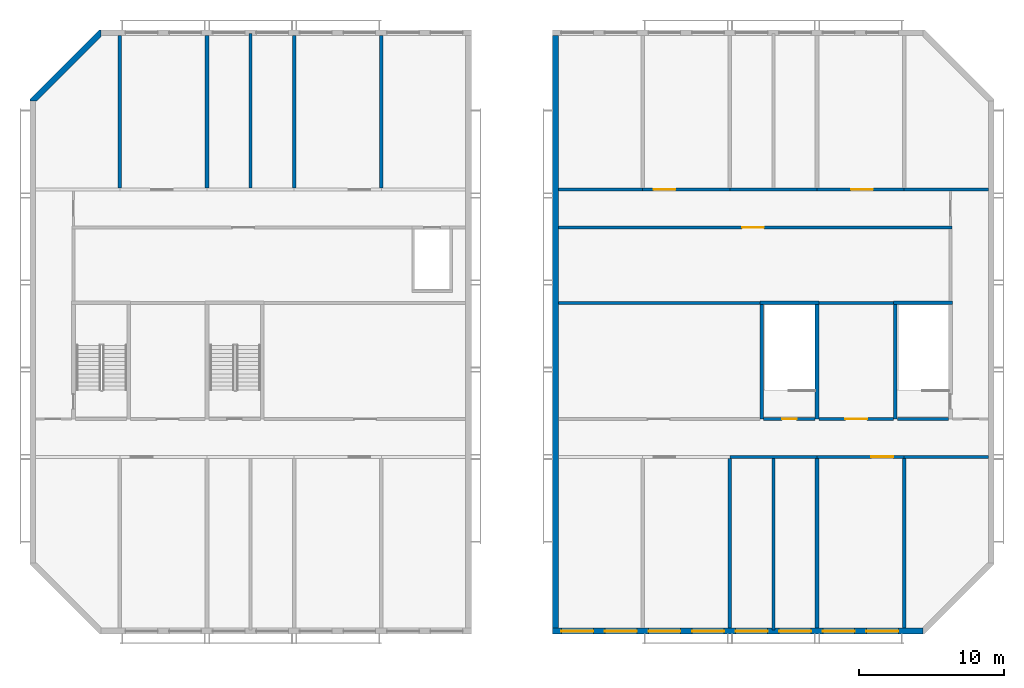
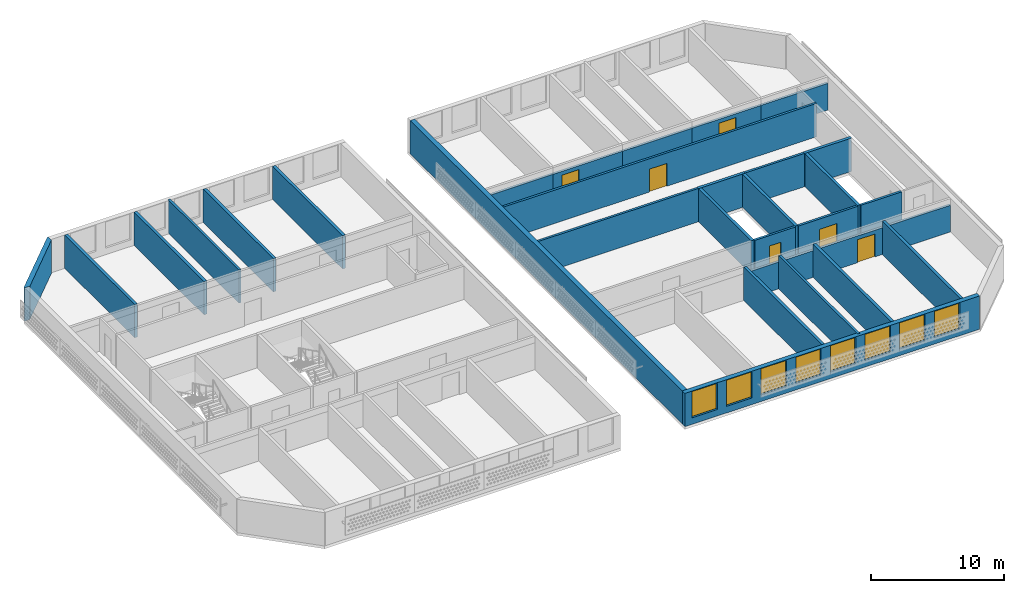
# One storey, part 3 of 16: 31 walls, 8 windows, 6 doors, 14 openings.
"""IFC4 building model written with IfcOpenShell, lengths in metres."""

from ifc_helpers import new_model, si_unit, direction, frame, frame_2d, origin, place, context, subcontext, project, spatial, polyline, rectangle, outline, extrude, material, layer, layer_set, type_object, element, fill, save


model = new_model("IFC4")

# Units and contexts
model_context = context("Model", 3, precision=1e-05, world=origin(), true_north=direction((0.0, 1.0)))
body_context = subcontext(model_context, "Body", "Model", "MODEL_VIEW")
ifc_project = project(units=[si_unit("LENGTHUNIT", "METRE"), si_unit("AREAUNIT", "SQUARE_METRE"), si_unit("VOLUMEUNIT", "CUBIC_METRE"), si_unit("PLANEANGLEUNIT", "RADIAN"), si_unit("MASSUNIT", "GRAM", prefix="KILO")], contexts=[model_context])

# Site, building, storey
site_placement = place(None, origin())
site = spatial("IfcSite", under=ifc_project, at=site_placement, CompositionType="ELEMENT")
building_placement = place(site_placement, origin())
building = spatial("IfcBuilding", under=site, at=building_placement, Name="Poui Terraces", CompositionType="ELEMENT")
storey_placement = place(building_placement, frame((0.0, 0.0, 282.300048828125)))
storey = spatial("IfcBuildingStorey", under=building, at=storey_placement, Name="L78 CROWN", CompositionType="ELEMENT", Elevation=282.300048828125)

# Wall
ifc_material_1 = material(Name="Concrete 50 MPa", Category="concrete")
ifc_layer_1 = layer(ifc_material_1, 0.199951171875)
ifc_layer_set_1 = layer_set([ifc_layer_1], Name="Concrete 50 MPa")
wall_type_1 = type_object("IfcWallType", Name="CORRIDOR WALL 200 50MPa", PredefinedType="SHEAR", material=ifc_layer_set_1)
wall_1_placement = place(storey_placement, frame((66.0, 12.0, 0.0), z_axis=(0.0, 0.0, 1.0), x_axis=(1.0, 0.0, 0.0)))
element("IfcWall", 1, at=wall_1_placement, inside=storey, type_object=wall_type_1, Name="CORRIDOR WALL LINE B BAY E3", PredefinedType="SHEAR", context=body_context, shape_type="SweptSolid", body=[
    extrude(rectangle(XDim=6.0, YDim=0.199951171875, at=frame_2d((3.0, 0.0))), origin(), (0.0, 0.0, 1.0), 2.449951171875),
])

# Wall, opening, door
wall_2_placement = place(storey_placement, frame((72.0, 12.0, 0.0), z_axis=(0.0, 0.0, 1.0), x_axis=(1.0, 0.0, 0.0)))
wall_2 = element("IfcWall", 2, at=wall_2_placement, inside=storey, type_object=wall_type_1, Name="CORRIDOR WALL LINE B BAY E4", PredefinedType="SHEAR", context=body_context, shape_type="SweptSolid", body=[
    extrude(rectangle(XDim=6.0, YDim=0.199951171875, at=frame_2d((3.0, 0.0))), origin(), (0.0, 0.0, 1.0), 2.449951171875),
])
opening_1_placement = place(wall_2_placement, frame((3.75, 0.0, 0.0)))
opening_1 = element("IfcOpeningElement", 3, at=opening_1_placement, cuts=wall_2, Name="Opening FDP", PredefinedType="OPENING", context=body_context, shape_type="SweptSolid", body=[
    extrude(rectangle(XDim=1.5, YDim=2.10009765625, at=frame_2d((0.75, 1.050048828125))), frame((0.0, 0.10986328125, 0.0), z_axis=(0.0, -1.0, 0.0), x_axis=(1.0, 0.0, 0.0)), (0.0, 0.0, 1.0), 0.219970703125),
])
ifc_material_2 = material(Name="Steel fire door", Category="steel")
door_type_1 = type_object("IfcDoorType", Name="PLANT ROOM DOOR PAIR 1500 X 2100", OperationType="DOUBLE_DOOR_SINGLE_SWING", PredefinedType="DOOR", material=ifc_material_2)
door_1_placement = place(opening_1_placement, origin())
door_1 = element("IfcDoor", 4, at=door_1_placement, inside=storey, type_object=door_type_1, Name="PLANT ROOM DOOR PAIR 007", OperationType="DOUBLE_DOOR_SINGLE_SWING", OverallHeight=2.10009765625, OverallWidth=1.5, PredefinedType="DOOR", context=body_context, shape_type="SweptSolid", body=[
    extrude(rectangle(XDim=1.5, YDim=2.10009765625, at=frame_2d((0.75, 1.050048828125))), frame((0.0, 0.02490234375, 0.0), z_axis=(0.0, -1.0, 0.0), x_axis=(1.0, 0.0, 0.0)), (0.0, 0.0, 1.0), 0.050048828125),
])
fill(opening_1, door_1)

# Walls
for number, where, z_axis, x_axis, name in (
    (5, (78.0, 12.0, 0.0), (0.0, 0.0, 1.0), (1.0, 0.0, 0.0), "CORRIDOR WALL LINE B BAY E5"),
    (6, (54.199951171875, 30.39990234375, 0.0), (0.0, 0.0, 1.0), (1.0, 0.0, 0.0), "CORRIDOR WALL LINE E BAY E1"),
):
    element("IfcWall", number, at=place(storey_placement, frame(where, z_axis=z_axis, x_axis=x_axis)), inside=storey, type_object=wall_type_1, Name=name, PredefinedType="SHEAR", context=body_context, shape_type="SweptSolid", body=[
        extrude(rectangle(XDim=5.800048828125, YDim=0.199951171875, at=frame_2d((2.89990234375, 0.0))), origin(), (0.0, 0.0, 1.0), 2.449951171875),
    ])

# Wall, opening, door
wall_3_placement = place(storey_placement, frame((60.0, 30.39990234375, 0.0), z_axis=(0.0, 0.0, 1.0), x_axis=(1.0, 0.0, 0.0)))
wall_3 = element("IfcWall", 7, at=wall_3_placement, inside=storey, type_object=wall_type_1, Name="CORRIDOR WALL LINE E BAY E2", PredefinedType="SHEAR", context=body_context, shape_type="SweptSolid", body=[
    extrude(rectangle(XDim=6.0, YDim=0.199951171875, at=frame_2d((3.0, 0.0))), origin(), (0.0, 0.0, 1.0), 2.449951171875),
])
opening_2_placement = place(wall_3_placement, frame((0.75, 0.0, 0.0)))
opening_2 = element("IfcOpeningElement", 8, at=opening_2_placement, cuts=wall_3, Name="Opening FDP", PredefinedType="OPENING", context=body_context, shape_type="SweptSolid", body=[
    extrude(rectangle(XDim=1.5, YDim=2.10009765625, at=frame_2d((0.75, 1.050048828125))), frame((0.0, 0.10986328125, 0.0), z_axis=(0.0, -1.0, 0.0), x_axis=(1.0, 0.0, 0.0)), (0.0, 0.0, 1.0), 0.219970703125),
])
door_2_placement = place(opening_2_placement, frame((1.5, 0.0, 0.0), z_axis=(0.0, 0.0, 1.0), x_axis=(-1.0, 0.0, 0.0)))
door_2 = element("IfcDoor", 9, at=door_2_placement, inside=storey, type_object=door_type_1, Name="PLANT ROOM DOOR PAIR 001", OperationType="DOUBLE_DOOR_SINGLE_SWING", OverallHeight=2.10009765625, OverallWidth=1.5, PredefinedType="DOOR", context=body_context, shape_type="SweptSolid", body=[
    extrude(rectangle(XDim=1.5, YDim=2.10009765625, at=frame_2d((0.75, 1.050048828125))), frame((0.0, 0.02490234375, 0.0), z_axis=(0.0, -1.0, 0.0), x_axis=(1.0, 0.0, 0.0)), (0.0, 0.0, 1.0), 0.050048828125),
])
fill(opening_2, door_2)

# Wall
wall_4_placement = place(storey_placement, frame((66.0, 30.39990234375, 0.0), z_axis=(0.0, 0.0, 1.0), x_axis=(1.0, 0.0, 0.0)))
element("IfcWall", 10, at=wall_4_placement, inside=storey, type_object=wall_type_1, Name="CORRIDOR WALL LINE E BAY E3", PredefinedType="SHEAR", context=body_context, shape_type="SweptSolid", body=[
    extrude(rectangle(XDim=6.0, YDim=0.199951171875, at=frame_2d((3.0, 0.0))), origin(), (0.0, 0.0, 1.0), 2.449951171875),
])

# Wall, opening, door
wall_5_placement = place(storey_placement, frame((72.0, 30.39990234375, 0.0), z_axis=(0.0, 0.0, 1.0), x_axis=(1.0, 0.0, 0.0)))
wall_5 = element("IfcWall", 11, at=wall_5_placement, inside=storey, type_object=wall_type_1, Name="CORRIDOR WALL LINE E BAY E4", PredefinedType="SHEAR", context=body_context, shape_type="SweptSolid", body=[
    extrude(rectangle(XDim=6.0, YDim=0.199951171875, at=frame_2d((3.0, 0.0))), origin(), (0.0, 0.0, 1.0), 2.449951171875),
])
opening_3_placement = place(wall_5_placement, frame((2.35009765625, 0.0, 0.0)))
opening_3 = element("IfcOpeningElement", 12, at=opening_3_placement, cuts=wall_5, Name="Opening FDP", PredefinedType="OPENING", context=body_context, shape_type="SweptSolid", body=[
    extrude(rectangle(XDim=1.5, YDim=2.10009765625, at=frame_2d((0.75, 1.050048828125))), frame((0.0, 0.10986328125, 0.0), z_axis=(0.0, -1.0, 0.0), x_axis=(1.0, 0.0, 0.0)), (0.0, 0.0, 1.0), 0.219970703125),
])
door_3_placement = place(opening_3_placement, frame((1.5, 0.0, 0.0), z_axis=(0.0, 0.0, 1.0), x_axis=(-1.0, 0.0, 0.0)))
door_3 = element("IfcDoor", 13, at=door_3_placement, inside=storey, type_object=door_type_1, Name="PLANT ROOM DOOR PAIR 003", OperationType="DOUBLE_DOOR_SINGLE_SWING", OverallHeight=2.10009765625, OverallWidth=1.5, PredefinedType="DOOR", context=body_context, shape_type="SweptSolid", body=[
    extrude(rectangle(XDim=1.5, YDim=2.10009765625, at=frame_2d((0.75, 1.050048828125))), frame((0.0, 0.02490234375, 0.0), z_axis=(0.0, -1.0, 0.0), x_axis=(1.0, 0.0, 0.0)), (0.0, 0.0, 1.0), 0.050048828125),
])
fill(opening_3, door_3)

# Walls
wall_6_placement = place(storey_placement, frame((78.0, 30.39990234375, 0.0), z_axis=(0.0, 0.0, 1.0), x_axis=(1.0, 0.0, 0.0)))
element("IfcWall", 14, at=wall_6_placement, inside=storey, type_object=wall_type_1, Name="CORRIDOR WALL LINE E BAY E5", PredefinedType="SHEAR", context=body_context, shape_type="SweptSolid", body=[
    extrude(rectangle(XDim=5.800048828125, YDim=0.199951171875, at=frame_2d((2.89990234375, 0.0))), origin(), (0.0, 0.0, 1.0), 2.449951171875),
])
ifc_layer_2 = layer(ifc_material_1, 0.25)
ifc_layer_set_2 = layer_set([ifc_layer_2], Name="Concrete 50 MPa")
wall_type_2 = type_object("IfcWallType", Name="CROSS WALL 250 50MPa", PredefinedType="SHEAR", material=ifc_layer_set_2)
for number, where, z_axis, x_axis, name in (
    (15, (24.0, 30.5, 0.0), (0.0, 0.0, 1.0), (0.0, 1.0, 0.0), "CROSS WALL LINE 5 NORTH"),
    (16, (30.0, 30.5, 0.0), (0.0, 0.0, 1.0), (0.0, 1.0, 0.0), "CROSS WALL LINE 6 NORTH"),
    (17, (36.0, 30.5, 0.0), (0.0, 0.0, 1.0), (0.0, 1.0, 0.0), "CROSS WALL LINE 7 NORTH"),
    (18, (42.0, 30.5, 0.0), (0.0, 0.0, 1.0), (0.0, 1.0, 0.0), "CROSS WALL LINE 8 NORTH"),
):
    element("IfcWall", number, at=place(storey_placement, frame(where, z_axis=z_axis, x_axis=x_axis)), inside=storey, type_object=wall_type_2, Name=name, PredefinedType="SHEAR", context=body_context, shape_type="SweptSolid", body=[
        extrude(rectangle(XDim=10.5, YDim=0.25, at=frame_2d((5.25, 0.0))), origin(), (0.0, 0.0, 1.0), 3.050048828125),
    ])
for number, where, z_axis, x_axis, name in (
    (19, (66.0, 0.199951171875, 0.0), (0.0, 0.0, 1.0), (0.0, 1.0, 0.0), "CROSS WALL LINE 12 SOUTH"),
    (20, (72.0, 0.199951171875, 0.0), (0.0, 0.0, 1.0), (0.0, 1.0, 0.0), "CROSS WALL LINE 13 SOUTH"),
    (21, (78.0, 0.199951171875, 0.0), (0.0, 0.0, 1.0), (0.0, 1.0, 0.0), "CROSS WALL LINE 14 SOUTH"),
):
    element("IfcWall", number, at=place(storey_placement, frame(where, z_axis=z_axis, x_axis=x_axis)), inside=storey, type_object=wall_type_2, Name=name, PredefinedType="SHEAR", context=body_context, shape_type="SweptSolid", body=[
        extrude(rectangle(XDim=11.699951171875, YDim=0.25, at=frame_2d((5.85009765625, 0.0))), origin(), (0.0, 0.0, 1.0), 3.050048828125),
    ])
ifc_layer_3 = layer(ifc_material_1, 0.39990234375)
ifc_layer_set_3 = layer_set([ifc_layer_3], Name="Concrete 50 MPa")
wall_type_3 = type_object("IfcWallType", Name="END WALL 400 50MPa", PredefinedType="SHEAR", material=ifc_layer_set_3)
wall_7_placement = place(storey_placement, frame((54.0, 0.199951171875, 0.0), z_axis=(0.0, 0.0, 1.0), x_axis=(0.0, 1.0, 0.0)))
element("IfcWall", 22, at=wall_7_placement, inside=storey, type_object=wall_type_3, Name="END WALL LINE 10", PredefinedType="SHEAR", context=body_context, shape_type="SweptSolid", body=[
    extrude(rectangle(XDim=40.800048828125, YDim=0.39990234375, at=frame_2d((20.39990234375, 0.0))), origin(), (0.0, 0.0, 1.0), 3.050048828125),
])

# Wall, openings, windows
ifc_material_3 = material(Name="Precast concrete 40 MPa", Category="concrete")
ifc_layer_4 = layer(ifc_material_3, 0.39990234375)
ifc_layer_set_4 = layer_set([ifc_layer_4], Name="Precast concrete 40 MPa")
wall_type_4 = type_object("IfcWallType", Name="EXTERNAL WALL 400", PredefinedType="STANDARD", material=ifc_layer_set_4)
wall_8_placement = place(storey_placement, frame((53.800048828125, 0.0, 0.0), z_axis=(0.0, 0.0, 1.0), x_axis=(1.0, 0.0, 0.0)))
wall_8 = element("IfcWall", 23, at=wall_8_placement, inside=storey, type_object=wall_type_4, Name="EXTERNAL WALL S", PredefinedType="STANDARD", context=body_context, shape_type="SweptSolid", body=[
    extrude(rectangle(XDim=25.51708984375, YDim=0.39990234375, at=frame_2d((12.758544921875, 0.0))), origin(), (0.0, 0.0, 1.0), 3.050048828125),
])
opening_4_placement = place(wall_8_placement, frame((0.60009765625, 0.0, 0.60009765625)))
opening_4 = element("IfcOpeningElement", 24, at=opening_4_placement, cuts=wall_8, Name="Opening W5", PredefinedType="OPENING", context=body_context, shape_type="SweptSolid", body=[
    extrude(rectangle(XDim=2.199951171875, YDim=2.39990234375, at=frame_2d((1.10009765625, 1.199951171875))), frame((0.0, 0.2099609375, 0.0), z_axis=(0.0, -1.0, 0.0), x_axis=(1.0, 0.0, 0.0)), (0.0, 0.0, 1.0), 0.419921875),
])
opening_5_placement = place(wall_8_placement, frame((3.60009765625, 0.0, 0.60009765625)))
opening_5 = element("IfcOpeningElement", 25, at=opening_5_placement, cuts=wall_8, Name="Opening W5", PredefinedType="OPENING", context=body_context, shape_type="SweptSolid", body=[
    extrude(rectangle(XDim=2.199951171875, YDim=2.39990234375, at=frame_2d((1.10009765625, 1.199951171875))), frame((0.0, 0.2099609375, 0.0), z_axis=(0.0, -1.0, 0.0), x_axis=(1.0, 0.0, 0.0)), (0.0, 0.0, 1.0), 0.419921875),
])
opening_6_placement = place(wall_8_placement, frame((6.60009765625, 0.0, 0.60009765625)))
opening_6 = element("IfcOpeningElement", 26, at=opening_6_placement, cuts=wall_8, Name="Opening W5", PredefinedType="OPENING", context=body_context, shape_type="SweptSolid", body=[
    extrude(rectangle(XDim=2.199951171875, YDim=2.39990234375, at=frame_2d((1.10009765625, 1.199951171875))), frame((0.0, 0.2099609375, 0.0), z_axis=(0.0, -1.0, 0.0), x_axis=(1.0, 0.0, 0.0)), (0.0, 0.0, 1.0), 0.419921875),
])
opening_7_placement = place(wall_8_placement, frame((9.60009765625, 0.0, 0.60009765625)))
opening_7 = element("IfcOpeningElement", 27, at=opening_7_placement, cuts=wall_8, Name="Opening W5", PredefinedType="OPENING", context=body_context, shape_type="SweptSolid", body=[
    extrude(rectangle(XDim=2.199951171875, YDim=2.39990234375, at=frame_2d((1.10009765625, 1.199951171875))), frame((0.0, 0.2099609375, 0.0), z_axis=(0.0, -1.0, 0.0), x_axis=(1.0, 0.0, 0.0)), (0.0, 0.0, 1.0), 0.419921875),
])
opening_8_placement = place(wall_8_placement, frame((12.60009765625, 0.0, 0.60009765625)))
opening_8 = element("IfcOpeningElement", 28, at=opening_8_placement, cuts=wall_8, Name="Opening W5", PredefinedType="OPENING", context=body_context, shape_type="SweptSolid", body=[
    extrude(rectangle(XDim=2.199951171875, YDim=2.39990234375, at=frame_2d((1.10009765625, 1.199951171875))), frame((0.0, 0.2099609375, 0.0), z_axis=(0.0, -1.0, 0.0), x_axis=(1.0, 0.0, 0.0)), (0.0, 0.0, 1.0), 0.419921875),
])
opening_9_placement = place(wall_8_placement, frame((15.60009765625, 0.0, 0.60009765625)))
opening_9 = element("IfcOpeningElement", 29, at=opening_9_placement, cuts=wall_8, Name="Opening W5", PredefinedType="OPENING", context=body_context, shape_type="SweptSolid", body=[
    extrude(rectangle(XDim=2.199951171875, YDim=2.39990234375, at=frame_2d((1.10009765625, 1.199951171875))), frame((0.0, 0.2099609375, 0.0), z_axis=(0.0, -1.0, 0.0), x_axis=(1.0, 0.0, 0.0)), (0.0, 0.0, 1.0), 0.419921875),
])
opening_10_placement = place(wall_8_placement, frame((18.60009765625, 0.0, 0.60009765625)))
opening_10 = element("IfcOpeningElement", 30, at=opening_10_placement, cuts=wall_8, Name="Opening W5", PredefinedType="OPENING", context=body_context, shape_type="SweptSolid", body=[
    extrude(rectangle(XDim=2.199951171875, YDim=2.39990234375, at=frame_2d((1.10009765625, 1.199951171875))), frame((0.0, 0.2099609375, 0.0), z_axis=(0.0, -1.0, 0.0), x_axis=(1.0, 0.0, 0.0)), (0.0, 0.0, 1.0), 0.419921875),
])
opening_11_placement = place(wall_8_placement, frame((21.60009765625, 0.0, 0.60009765625)))
opening_11 = element("IfcOpeningElement", 31, at=opening_11_placement, cuts=wall_8, Name="Opening W5", PredefinedType="OPENING", context=body_context, shape_type="SweptSolid", body=[
    extrude(rectangle(XDim=2.199951171875, YDim=2.39990234375, at=frame_2d((1.10009765625, 1.199951171875))), frame((0.0, 0.2099609375, 0.0), z_axis=(0.0, -1.0, 0.0), x_axis=(1.0, 0.0, 0.0)), (0.0, 0.0, 1.0), 0.419921875),
])
ifc_material_4 = material(Name="Clear glass in aluminium frame", Category="aluminium")
window_type = type_object("IfcWindowType", Name="WINDOW 2200X2400", PartitioningType="TRIPLE_PANEL_HORIZONTAL", PredefinedType="WINDOW", material=ifc_material_4)
window_1_placement = place(opening_4_placement, origin())
window_1 = element("IfcWindow", 32, at=window_1_placement, inside=storey, type_object=window_type, Name="W5 WINDOW", OverallHeight=2.39990234375, OverallWidth=2.199951171875, PartitioningType="TRIPLE_PANEL_HORIZONTAL", PredefinedType="WINDOW", context=body_context, shape_type="SweptSolid", body=[
    extrude(rectangle(XDim=2.199951171875, YDim=2.39990234375, at=frame_2d((1.10009765625, 1.199951171875))), frame((0.0, 0.030029296875, 0.0), z_axis=(0.0, -1.0, 0.0), x_axis=(1.0, 0.0, 0.0)), (0.0, 0.0, 1.0), 0.06005859375),
])
fill(opening_4, window_1)
window_2_placement = place(opening_5_placement, origin())
window_2 = element("IfcWindow", 33, at=window_2_placement, inside=storey, type_object=window_type, Name="W5 WINDOW", OverallHeight=2.39990234375, OverallWidth=2.199951171875, PartitioningType="TRIPLE_PANEL_HORIZONTAL", PredefinedType="WINDOW", context=body_context, shape_type="SweptSolid", body=[
    extrude(rectangle(XDim=2.199951171875, YDim=2.39990234375, at=frame_2d((1.10009765625, 1.199951171875))), frame((0.0, 0.030029296875, 0.0), z_axis=(0.0, -1.0, 0.0), x_axis=(1.0, 0.0, 0.0)), (0.0, 0.0, 1.0), 0.06005859375),
])
fill(opening_5, window_2)
window_3_placement = place(opening_6_placement, origin())
window_3 = element("IfcWindow", 34, at=window_3_placement, inside=storey, type_object=window_type, Name="W5 WINDOW", OverallHeight=2.39990234375, OverallWidth=2.199951171875, PartitioningType="TRIPLE_PANEL_HORIZONTAL", PredefinedType="WINDOW", context=body_context, shape_type="SweptSolid", body=[
    extrude(rectangle(XDim=2.199951171875, YDim=2.39990234375, at=frame_2d((1.10009765625, 1.199951171875))), frame((0.0, 0.030029296875, 0.0), z_axis=(0.0, -1.0, 0.0), x_axis=(1.0, 0.0, 0.0)), (0.0, 0.0, 1.0), 0.06005859375),
])
fill(opening_6, window_3)
window_4_placement = place(opening_7_placement, origin())
window_4 = element("IfcWindow", 35, at=window_4_placement, inside=storey, type_object=window_type, Name="W5 WINDOW", OverallHeight=2.39990234375, OverallWidth=2.199951171875, PartitioningType="TRIPLE_PANEL_HORIZONTAL", PredefinedType="WINDOW", context=body_context, shape_type="SweptSolid", body=[
    extrude(rectangle(XDim=2.199951171875, YDim=2.39990234375, at=frame_2d((1.10009765625, 1.199951171875))), frame((0.0, 0.030029296875, 0.0), z_axis=(0.0, -1.0, 0.0), x_axis=(1.0, 0.0, 0.0)), (0.0, 0.0, 1.0), 0.06005859375),
])
fill(opening_7, window_4)
window_5_placement = place(opening_8_placement, origin())
window_5 = element("IfcWindow", 36, at=window_5_placement, inside=storey, type_object=window_type, Name="W5 WINDOW", OverallHeight=2.39990234375, OverallWidth=2.199951171875, PartitioningType="TRIPLE_PANEL_HORIZONTAL", PredefinedType="WINDOW", context=body_context, shape_type="SweptSolid", body=[
    extrude(rectangle(XDim=2.199951171875, YDim=2.39990234375, at=frame_2d((1.10009765625, 1.199951171875))), frame((0.0, 0.030029296875, 0.0), z_axis=(0.0, -1.0, 0.0), x_axis=(1.0, 0.0, 0.0)), (0.0, 0.0, 1.0), 0.06005859375),
])
fill(opening_8, window_5)
window_6_placement = place(opening_9_placement, origin())
window_6 = element("IfcWindow", 37, at=window_6_placement, inside=storey, type_object=window_type, Name="W5 WINDOW", OverallHeight=2.39990234375, OverallWidth=2.199951171875, PartitioningType="TRIPLE_PANEL_HORIZONTAL", PredefinedType="WINDOW", context=body_context, shape_type="SweptSolid", body=[
    extrude(rectangle(XDim=2.199951171875, YDim=2.39990234375, at=frame_2d((1.10009765625, 1.199951171875))), frame((0.0, 0.030029296875, 0.0), z_axis=(0.0, -1.0, 0.0), x_axis=(1.0, 0.0, 0.0)), (0.0, 0.0, 1.0), 0.06005859375),
])
fill(opening_9, window_6)
window_7_placement = place(opening_10_placement, origin())
window_7 = element("IfcWindow", 38, at=window_7_placement, inside=storey, type_object=window_type, Name="W5 WINDOW", OverallHeight=2.39990234375, OverallWidth=2.199951171875, PartitioningType="TRIPLE_PANEL_HORIZONTAL", PredefinedType="WINDOW", context=body_context, shape_type="SweptSolid", body=[
    extrude(rectangle(XDim=2.199951171875, YDim=2.39990234375, at=frame_2d((1.10009765625, 1.199951171875))), frame((0.0, 0.030029296875, 0.0), z_axis=(0.0, -1.0, 0.0), x_axis=(1.0, 0.0, 0.0)), (0.0, 0.0, 1.0), 0.06005859375),
])
fill(opening_10, window_7)
window_8_placement = place(opening_11_placement, origin())
window_8 = element("IfcWindow", 39, at=window_8_placement, inside=storey, type_object=window_type, Name="W5 WINDOW", OverallHeight=2.39990234375, OverallWidth=2.199951171875, PartitioningType="TRIPLE_PANEL_HORIZONTAL", PredefinedType="WINDOW", context=body_context, shape_type="SweptSolid", body=[
    extrude(rectangle(XDim=2.199951171875, YDim=2.39990234375, at=frame_2d((1.10009765625, 1.199951171875))), frame((0.0, 0.030029296875, 0.0), z_axis=(0.0, -1.0, 0.0), x_axis=(1.0, 0.0, 0.0)), (0.0, 0.0, 1.0), 0.06005859375),
])
fill(opening_11, window_8)

# Wall, opening, door
ifc_material_5 = material(Name="Fire-rated masonry wall", Category="masonry")
ifc_layer_5 = layer(ifc_material_5, 0.199951171875)
ifc_layer_set_5 = layer_set([ifc_layer_5], Name="Fire-rated masonry wall")
wall_type_5 = type_object("IfcWallType", Name="PLANT ROOM WALL 200", PredefinedType="PARTITIONING", material=ifc_layer_set_5)
wall_9_placement = place(storey_placement, frame((72.135009765625, 14.60009765625, 0.0), z_axis=(0.0, 0.0, 1.0), x_axis=(1.0, 0.0, 0.0)))
wall_9 = element("IfcWall", 40, at=wall_9_placement, inside=storey, type_object=wall_type_5, Name="PLANT ROOM WALL 200", PredefinedType="PARTITIONING", context=body_context, shape_type="SweptSolid", body=[
    extrude(rectangle(XDim=5.1298828125, YDim=0.199951171875, at=frame_2d((2.56494140625, 0.0))), origin(), (0.0, 0.0, 1.0), 3.050048828125),
])
opening_12_placement = place(wall_9_placement, frame((1.81494140625, 0.0, 0.0)))
opening_12 = element("IfcOpeningElement", 41, at=opening_12_placement, cuts=wall_9, Name="Opening FDP", PredefinedType="OPENING", context=body_context, shape_type="SweptSolid", body=[
    extrude(rectangle(XDim=1.5, YDim=2.10009765625, at=frame_2d((0.75, 1.050048828125))), frame((0.0, 0.10986328125, 0.0), z_axis=(0.0, -1.0, 0.0), x_axis=(1.0, 0.0, 0.0)), (0.0, 0.0, 1.0), 0.219970703125),
])
door_4_placement = place(opening_12_placement, frame((1.5, 0.0, 0.0), z_axis=(0.0, 0.0, 1.0), x_axis=(-1.0, 0.0, 0.0)))
door_4 = element("IfcDoor", 42, at=door_4_placement, inside=storey, type_object=door_type_1, Name="PLANT ROOM DOOR PAIR 006", OperationType="DOUBLE_DOOR_SINGLE_SWING", OverallHeight=2.10009765625, OverallWidth=1.5, PredefinedType="DOOR", context=body_context, shape_type="SweptSolid", body=[
    extrude(rectangle(XDim=1.5, YDim=2.10009765625, at=frame_2d((0.75, 1.050048828125))), frame((0.0, 0.02490234375, 0.0), z_axis=(0.0, -1.0, 0.0), x_axis=(1.0, 0.0, 0.0)), (0.0, 0.0, 1.0), 0.050048828125),
])
fill(opening_12, door_4)

# Walls
wall_10_placement = place(storey_placement, frame((54.2099609375, 22.60009765625, 0.0), z_axis=(0.0, 0.0, 1.0), x_axis=(1.0, 0.0, 0.0)))
element("IfcWall", 43, at=wall_10_placement, inside=storey, type_object=wall_type_5, Name="PLANT ROOM WALL 200", PredefinedType="PARTITIONING", context=body_context, shape_type="SweptSolid", body=[
    extrude(rectangle(XDim=13.85498046875, YDim=0.199951171875, at=frame_2d((6.927490234375, 0.0))), origin(), (0.0, 0.0, 1.0), 3.050048828125),
])
wall_11_placement = place(storey_placement, frame((72.135009765625, 22.60009765625, 0.0), z_axis=(0.0, 0.0, 1.0), x_axis=(1.0, 0.0, 0.0)))
element("IfcWall", 44, at=wall_11_placement, inside=storey, type_object=wall_type_5, Name="PLANT ROOM WALL 200", PredefinedType="PARTITIONING", context=body_context, shape_type="SweptSolid", body=[
    extrude(rectangle(XDim=5.1298828125, YDim=0.199951171875, at=frame_2d((2.56494140625, 0.0))), origin(), (0.0, 0.0, 1.0), 3.050048828125),
])

# Wall, opening, door
wall_12_placement = place(storey_placement, frame((54.2099609375, 27.800048828125, 0.0), z_axis=(0.0, 0.0, 1.0), x_axis=(1.0, 0.0, 0.0)))
wall_12 = element("IfcWall", 45, at=wall_12_placement, inside=storey, type_object=wall_type_5, Name="PLANT ROOM WALL 200", PredefinedType="PARTITIONING", context=body_context, shape_type="SweptSolid", body=[
    extrude(rectangle(XDim=27.090087890625, YDim=0.199951171875, at=frame_2d((13.544921875, 0.0))), origin(), (0.0, 0.0, 1.0), 3.050048828125),
])
opening_13_placement = place(wall_12_placement, frame((12.639892578125, 0.0, 0.0)))
opening_13 = element("IfcOpeningElement", 46, at=opening_13_placement, cuts=wall_12, Name="Opening FDP", PredefinedType="OPENING", context=body_context, shape_type="SweptSolid", body=[
    extrude(rectangle(XDim=1.5, YDim=2.10009765625, at=frame_2d((0.75, 1.050048828125))), frame((0.0, 0.10986328125, 0.0), z_axis=(0.0, -1.0, 0.0), x_axis=(1.0, 0.0, 0.0)), (0.0, 0.0, 1.0), 0.219970703125),
])
door_5_placement = place(opening_13_placement, origin())
door_5 = element("IfcDoor", 47, at=door_5_placement, inside=storey, type_object=door_type_1, Name="PLANT ROOM DOOR PAIR 002", OperationType="DOUBLE_DOOR_SINGLE_SWING", OverallHeight=2.10009765625, OverallWidth=1.5, PredefinedType="DOOR", context=body_context, shape_type="SweptSolid", body=[
    extrude(rectangle(XDim=1.5, YDim=2.10009765625, at=frame_2d((0.75, 1.050048828125))), frame((0.0, 0.02490234375, 0.0), z_axis=(0.0, -1.0, 0.0), x_axis=(1.0, 0.0, 0.0)), (0.0, 0.0, 1.0), 0.050048828125),
])
fill(opening_13, door_5)

# Walls
wall_13_placement = place(storey_placement, frame((33.0, 30.510009765625, 0.0), z_axis=(0.0, 0.0, 1.0), x_axis=(0.0, 1.0, 0.0)))
element("IfcWall", 48, at=wall_13_placement, inside=storey, type_object=wall_type_5, Name="PLANT ROOM WALL 200", PredefinedType="PARTITIONING", context=body_context, shape_type="SweptSolid", body=[
    extrude(rectangle(XDim=10.6298828125, YDim=0.199951171875, at=frame_2d((5.31494140625, 0.0))), origin(), (0.0, 0.0, 1.0), 3.050048828125),
])
wall_14_placement = place(storey_placement, frame((69.0, 0.06005859375, 0.0), z_axis=(0.0, 0.0, 1.0), x_axis=(0.0, 1.0, 0.0)))
element("IfcWall", 49, at=wall_14_placement, inside=storey, type_object=wall_type_5, Name="PLANT ROOM WALL 200", PredefinedType="PARTITIONING", context=body_context, shape_type="SweptSolid", body=[
    extrude(rectangle(XDim=11.829833984375, YDim=0.199951171875, at=frame_2d((5.9150390625, 0.0))), origin(), (0.0, 0.0, 1.0), 3.050048828125),
])
ifc_layer_6 = layer(ifc_material_1, 0.25)
ifc_layer_set_6 = layer_set([ifc_layer_6], Name="Concrete 50 MPa")
wall_type_6 = type_object("IfcWallType", Name="STAIR CORE WALL 250 50 MPA", PredefinedType="SOLIDWALL", material=ifc_layer_set_6)
wall_15_placement = place(storey_placement, frame((77.39990234375, 14.60009765625, 0.0), z_axis=(0.0, 0.0, 1.0), x_axis=(0.0, 1.0, 0.0)))
element("IfcWall", 50, at=wall_15_placement, inside=storey, type_object=wall_type_6, Name="STAIR CORE WALL", PredefinedType="SOLIDWALL", context=body_context, shape_type="SweptSolid", body=[
    extrude(rectangle(XDim=7.875, YDim=0.25, at=frame_2d((3.9375, 0.0))), origin(), (0.0, 0.0, 1.0), 3.050048828125),
])
wall_16_placement = place(storey_placement, frame((77.27490234375, 22.60009765625, 0.0), z_axis=(0.0, 0.0, 1.0), x_axis=(1.0, 0.0, 0.0)))
element("IfcWall", 51, at=wall_16_placement, inside=storey, type_object=wall_type_6, Name="STAIR CORE WALL", PredefinedType="SOLIDWALL", context=body_context, shape_type="SweptSolid", body=[
    extrude(rectangle(XDim=4.050048828125, YDim=0.25, at=frame_2d((2.02490234375, 0.0))), origin(), (0.0, 0.0, 1.0), 3.050048828125),
])
for number, where, z_axis, x_axis, name in (
    (52, (68.199951171875, 14.60009765625, 0.0), (0.0, 0.0, 1.0), (0.0, 1.0, 0.0), "STAIR CORE WALL"),
    (53, (72.0, 14.60009765625, 0.0), (0.0, 0.0, 1.0), (0.0, 1.0, 0.0), "STAIR CORE WALL"),
):
    element("IfcWall", number, at=place(storey_placement, frame(where, z_axis=z_axis, x_axis=x_axis)), inside=storey, type_object=wall_type_6, Name=name, PredefinedType="SOLIDWALL", context=body_context, shape_type="SweptSolid", body=[
        extrude(rectangle(XDim=7.875, YDim=0.25, at=frame_2d((3.9375, 0.0))), origin(), (0.0, 0.0, 1.0), 3.050048828125),
    ])
wall_17_placement = place(storey_placement, frame((68.074951171875, 22.60009765625, 0.0), z_axis=(0.0, 0.0, 1.0), x_axis=(1.0, 0.0, 0.0)))
element("IfcWall", 54, at=wall_17_placement, inside=storey, type_object=wall_type_6, Name="STAIR CORE WALL", PredefinedType="SOLIDWALL", context=body_context, shape_type="SweptSolid", body=[
    extrude(rectangle(XDim=4.050048828125, YDim=0.25, at=frame_2d((2.02490234375, 0.0))), origin(), (0.0, 0.0, 1.0), 3.050048828125),
])

# Wall, opening, door
ifc_layer_7 = layer(ifc_material_5, 0.199951171875)
ifc_layer_set_7 = layer_set([ifc_layer_7], Name="Fire-rated masonry wall")
wall_type_7 = type_object("IfcWallType", Name="STAIR WALL 200", PredefinedType="PARTITIONING", material=ifc_layer_set_7)
wall_18_placement = place(storey_placement, frame((68.3349609375, 14.60009765625, 0.0), z_axis=(0.0, 0.0, 1.0), x_axis=(1.0, 0.0, 0.0)))
wall_18 = element("IfcWall", 55, at=wall_18_placement, inside=storey, type_object=wall_type_7, Name="STAIR WALL 200", PredefinedType="PARTITIONING", context=body_context, shape_type="SweptSolid", body=[
    extrude(rectangle(XDim=3.530029296875, YDim=0.199951171875, at=frame_2d((1.76513671875, 0.0))), origin(), (0.0, 0.0, 1.0), 3.050048828125),
])
opening_14_placement = place(wall_18_placement, frame((1.264892578125, 0.0, 0.0)))
opening_14 = element("IfcOpeningElement", 56, at=opening_14_placement, cuts=wall_18, Name="Opening FD60S", PredefinedType="OPENING", context=body_context, shape_type="SweptSolid", body=[
    extrude(rectangle(XDim=1.0, YDim=2.10009765625, at=frame_2d((0.5, 1.050048828125))), frame((0.0, 0.10986328125, 0.0), z_axis=(0.0, -1.0, 0.0), x_axis=(1.0, 0.0, 0.0)), (0.0, 0.0, 1.0), 0.219970703125),
])
door_type_2 = type_object("IfcDoorType", Name="STAIR DOOR 1000 X 2100", OperationType="NOTDEFINED", PredefinedType="DOOR", material=ifc_material_2)
door_6_placement = place(opening_14_placement, frame((1.0, 0.0, 0.0), z_axis=(0.0, 0.0, 1.0), x_axis=(-1.0, 0.0, 0.0)))
door_6 = element("IfcDoor", 57, at=door_6_placement, inside=storey, type_object=door_type_2, Name="STAIR DOOR 011", OperationType="SINGLE_SWING_LEFT", OverallHeight=2.10009765625, OverallWidth=1.0, PredefinedType="DOOR", context=body_context, shape_type="SweptSolid", body=[
    extrude(rectangle(XDim=1.0, YDim=2.10009765625, at=frame_2d((0.5, 1.050048828125))), frame((0.0, 0.02490234375, 0.0), z_axis=(0.0, -1.0, 0.0), x_axis=(1.0, 0.0, 0.0)), (0.0, 0.0, 1.0), 0.050048828125),
])
fill(opening_14, door_6)

# Walls
wall_19_placement = place(storey_placement, frame((77.534912109375, 14.60009765625, 0.0), z_axis=(0.0, 0.0, 1.0), x_axis=(1.0, 0.0, 0.0)))
element("IfcWall", 58, at=wall_19_placement, inside=storey, type_object=wall_type_7, Name="STAIR WALL 200", PredefinedType="PARTITIONING", context=body_context, shape_type="SweptSolid", body=[
    extrude(rectangle(XDim=3.530029296875, YDim=0.199951171875, at=frame_2d((1.76513671875, 0.0))), origin(), (0.0, 0.0, 1.0), 3.050048828125),
])
ifc_layer_8 = layer(ifc_material_3, 0.39990234375)
ifc_layer_set_8 = layer_set([ifc_layer_8], Name="Precast concrete 40 MPa")
wall_type_8 = type_object("IfcWallType", Name="TERRACOTTA CLAD CHAMFER WALL 400", PredefinedType="STANDARD", material=ifc_layer_set_8)
wall_20_placement = place(storey_placement, origin())
element("IfcWall", 59, at=wall_20_placement, inside=storey, type_object=wall_type_8, Name="CHAMFER WALL CH03", PredefinedType="STANDARD", context=body_context, shape_type="SweptSolid", body=[
    extrude(outline(polyline([(22.682861328125, 41.39990234375), (22.60009765625, 41.39990234375), (17.800048828125, 36.60009765625), (17.800048828125, 36.51708984375), (18.28271484375, 36.51708984375), (22.682861328125, 40.917236328125), (22.682861328125, 41.39990234375)])), origin(), (0.0, 0.0, 1.0), 3.050048828125),
])

save(model, "model.ifc")
